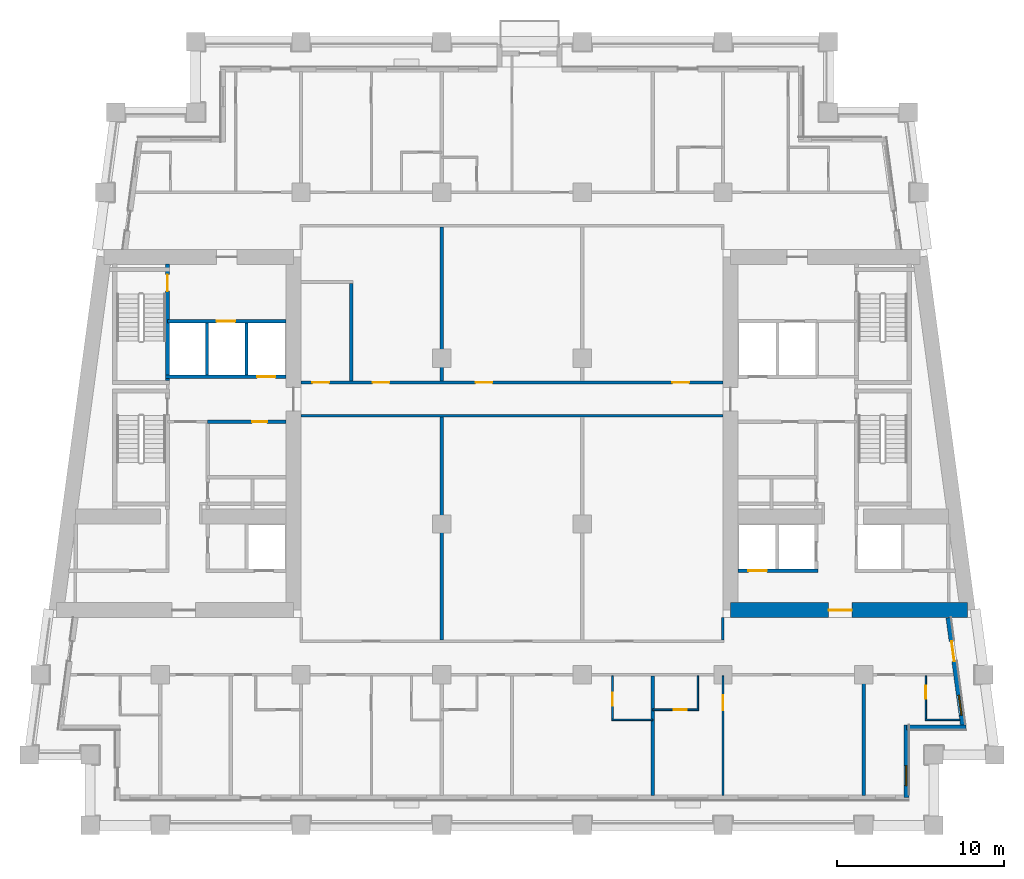
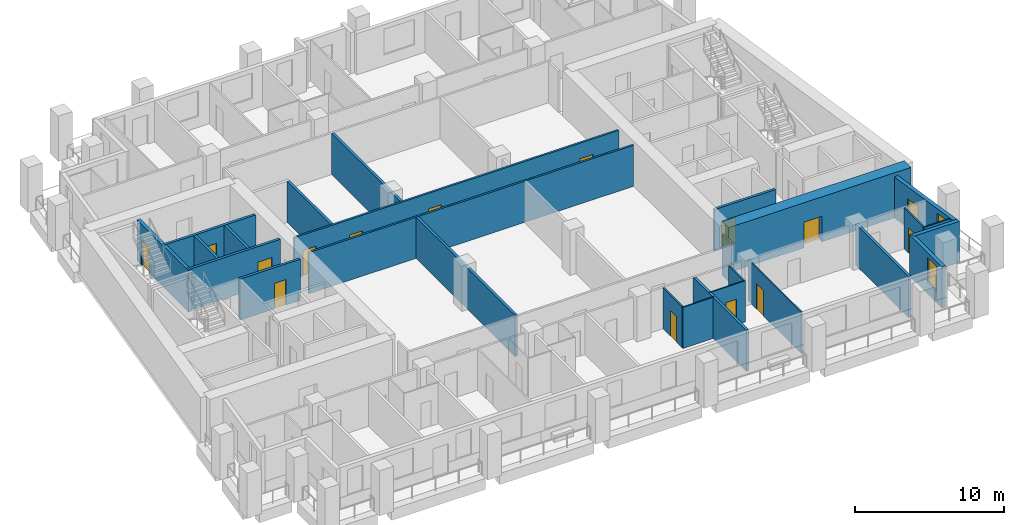
# One storey, part 4 of 12: 26 walls, 15 doors, 2 windows, 17 openings.
"""IFC4 building model written with IfcOpenShell, lengths in metres."""

from ifc_helpers import new_model, si_unit, direction, frame, frame_2d, origin, place, context, subcontext, project, spatial, rectangle, extrude, material, layer, layer_set, type_object, element, fill, save


model = new_model("IFC4")

# Units and contexts
model_context = context("Model", 3, precision=1e-05, world=origin(), true_north=direction((0.0, 1.0)))
body_context = subcontext(model_context, "Body", "Model", "MODEL_VIEW")
ifc_project = project(units=[si_unit("LENGTHUNIT", "METRE"), si_unit("AREAUNIT", "SQUARE_METRE"), si_unit("VOLUMEUNIT", "CUBIC_METRE"), si_unit("PLANEANGLEUNIT", "RADIAN"), si_unit("MASSUNIT", "GRAM", prefix="KILO")], contexts=[model_context])

# Site, building, storey
site_placement = place(None, origin())
site = spatial("IfcSite", under=ifc_project, at=site_placement, CompositionType="ELEMENT")
building_placement = place(site_placement, origin())
building = spatial("IfcBuilding", under=site, at=building_placement, Name="Candeia Pilgrim Tower and Theatre", CompositionType="ELEMENT")
storey_placement = place(building_placement, frame((0.0, 0.0, 166.300048828125)))
storey = spatial("IfcBuildingStorey", under=building, at=storey_placement, Name="L39", CompositionType="ELEMENT", Elevation=166.300048828125)

# Wall, opening, door
ifc_material_1 = material(Name="Concrete C60/75", Category="concrete")
ifc_layer_1 = layer(ifc_material_1, 0.89990234375)
ifc_layer_set_1 = layer_set([ifc_layer_1], Name="Core wall 900 C60/75")
wall_type_1 = type_object("IfcWallType", Name="Core wall 900 C60/75", PredefinedType="SHEAR", material=ifc_layer_set_1)
wall_1_placement = place(storey_placement, frame((140.6162109375, 110.85009765625, 0.0), z_axis=(0.0, 0.0, 1.0), x_axis=(-1.0, 0.0, 0.0)))
wall_1 = element("IfcWall", 1, at=wall_1_placement, inside=storey, type_object=wall_type_1, Name="Core wall E3", PredefinedType="SHEAR", context=body_context, shape_type="SweptSolid", body=[
    extrude(rectangle(XDim=14.166259765625, YDim=0.89990234375, at=frame_2d((7.0830078125, 0.0))), origin(), (0.0, 0.0, 1.0), 3.699951171875),
])
opening_1_placement = place(wall_1_placement, frame((6.911376953125, 0.0, 0.0)))
opening_1 = element("IfcOpeningElement", 2, at=opening_1_placement, cuts=wall_1, Name="Opening L39-D055", PredefinedType="OPENING", context=body_context, shape_type="SweptSolid", body=[
    extrude(rectangle(XDim=1.39990234375, YDim=2.10009765625, at=frame_2d((0.699951171875, 1.050048828125))), frame((0.0, 0.4599609375, 0.0), z_axis=(0.0, -1.0, 0.0), x_axis=(1.0, 0.0, 0.0)), (0.0, 0.0, 1.0), 0.919921875),
])
ifc_material_2 = material(Name="Steel fire door set", Category="steel")
door_type_1 = type_object("IfcDoorType", Name="D-1400-FD60", OperationType="NOTDEFINED", PredefinedType="DOOR", material=ifc_material_2)
door_1_placement = place(opening_1_placement, origin())
door_1 = element("IfcDoor", 3, at=door_1_placement, inside=storey, type_object=door_type_1, Name="Door L39-D055", OperationType="SINGLE_SWING_RIGHT", OverallHeight=2.10009765625, OverallWidth=1.39990234375, PredefinedType="DOOR", context=body_context, shape_type="SweptSolid", body=[
    extrude(rectangle(XDim=1.39990234375, YDim=2.10009765625, at=frame_2d((0.699951171875, 1.050048828125))), frame((0.0, 0.02490234375, 0.0), z_axis=(0.0, -1.0, 0.0), x_axis=(1.0, 0.0, 0.0)), (0.0, 0.0, 1.0), 0.050048828125),
])
fill(opening_1, door_1)

# Wall, opening, window
ifc_material_3 = material(Name="Ceramic block masonry", Category="masonry")
ifc_layer_2 = layer(ifc_material_3, 0.300048828125)
ifc_layer_set_2 = layer_set([ifc_layer_2], Name="EW1 glazing-line wall 300")
wall_type_2 = type_object("IfcWallType", Name="EW1 glazing-line wall 300", PredefinedType="SOLIDWALL", material=ifc_layer_set_2)
wall_2_placement = place(storey_placement, frame((136.949951171875, 99.64990234375, 0.0), z_axis=(0.0, 0.0, 1.0), x_axis=(0.0, 1.0, 0.0)))
wall_2 = element("IfcWall", 4, at=wall_2_placement, inside=storey, type_object=wall_type_2, Name="External wall L39-1.0", PredefinedType="SOLIDWALL", context=body_context, shape_type="SweptSolid", body=[
    extrude(rectangle(XDim=4.35009765625, YDim=0.300048828125, at=frame_2d((2.175048828125, 0.0))), origin(), (0.0, 0.0, 1.0), 3.3798828125),
])
opening_2_placement = place(wall_2_placement, frame((0.72509765625, 0.0, 0.89990234375)))
opening_2 = element("IfcOpeningElement", 5, at=opening_2_placement, cuts=wall_2, Name="Opening W-B", PredefinedType="OPENING", context=body_context, shape_type="SweptSolid", body=[
    extrude(rectangle(XDim=1.199951171875, YDim=2.10009765625, at=frame_2d((0.60009765625, 1.050048828125))), frame((0.0, 0.16015625, 0.0), z_axis=(0.0, -1.0, 0.0), x_axis=(1.0, 0.0, 0.0)), (0.0, 0.0, 1.0), 0.320068359375),
])
ifc_material_4 = material(Name="Aluminium framed double glazing", Category="aluminium")
window_type = type_object("IfcWindowType", Name="W-B window 1200x2100", PartitioningType="SINGLE_PANEL", PredefinedType="WINDOW", material=ifc_material_4)
window_1_placement = place(opening_2_placement, origin())
window_1 = element("IfcWindow", 6, at=window_1_placement, inside=storey, type_object=window_type, Name="Window W-B L39", OverallHeight=2.10009765625, OverallWidth=1.199951171875, PartitioningType="SINGLE_PANEL", PredefinedType="WINDOW", context=body_context, shape_type="SweptSolid", body=[
    extrude(rectangle(XDim=1.199951171875, YDim=2.10009765625, at=frame_2d((0.60009765625, 1.050048828125))), frame((0.0, 0.030029296875, 0.0), z_axis=(0.0, -1.0, 0.0), x_axis=(1.0, 0.0, 0.0)), (0.0, 0.0, 1.0), 0.06005859375),
])
fill(opening_2, window_1)

# Wall
wall_3_placement = place(storey_placement, frame((136.949951171875, 103.85009765625, 0.0), z_axis=(0.0, 0.0, 1.0), x_axis=(1.0, 0.0, 0.0)))
element("IfcWall", 7, at=wall_3_placement, inside=storey, type_object=wall_type_2, Name="External wall L39-2.0", PredefinedType="SOLIDWALL", context=body_context, shape_type="SweptSolid", body=[
    extrude(rectangle(XDim=3.569091796875, YDim=0.300048828125, at=frame_2d((1.78466796875, 0.0))), origin(), (0.0, 0.0, 1.0), 3.3798828125),
])

# Wall, openings, door, window
wall_4_placement = place(storey_placement, frame((140.34765625, 103.85009765625, 0.0), z_axis=(0.0, 0.0, 1.0), x_axis=(-0.133431549479, 0.991058031401, 0.0)))
wall_4 = element("IfcWall", 8, at=wall_4_placement, inside=storey, type_object=wall_type_2, Name="External wall L39-3.0", PredefinedType="SOLIDWALL", context=body_context, shape_type="SweptSolid", body=[
    extrude(rectangle(XDim=6.60888671875, YDim=0.300048828125, at=frame_2d((3.304443359375, 0.0))), origin(), (0.0, 0.0, 1.0), 3.3798828125),
])
opening_3_placement = place(wall_4_placement, frame((0.736572265625, 0.0, 0.89990234375)))
opening_3 = element("IfcOpeningElement", 9, at=opening_3_placement, cuts=wall_4, Name="Opening W-B", PredefinedType="OPENING", context=body_context, shape_type="SweptSolid", body=[
    extrude(rectangle(XDim=1.199951171875, YDim=2.10009765625, at=frame_2d((0.60009765625, 1.050048828125))), frame((0.0, 0.16015625, 0.0), z_axis=(0.0, -1.0, 0.0), x_axis=(1.0, 0.0, 0.0)), (0.0, 0.0, 1.0), 0.320068359375),
])
opening_4_placement = place(wall_4_placement, frame((3.990966796875, 0.0, 0.0)))
opening_4 = element("IfcOpeningElement", 10, at=opening_4_placement, cuts=wall_4, Name="Opening L39-ED374", PredefinedType="OPENING", context=body_context, shape_type="SweptSolid", body=[
    extrude(rectangle(XDim=1.199951171875, YDim=2.39990234375, at=frame_2d((0.60009765625, 1.199951171875))), frame((0.0, 0.16015625, 0.0), z_axis=(0.0, -1.0, 0.0), x_axis=(1.0, 0.0, 0.0)), (0.0, 0.0, 1.0), 0.320068359375),
])
ifc_material_5 = material(Name="Aluminium framed glazed door", Category="aluminium")
door_type_2 = type_object("IfcDoorType", Name="Loggia door 1200x2400", OperationType="DOUBLE_DOOR_SINGLE_SWING", PredefinedType="DOOR", material=ifc_material_5)
door_2_placement = place(opening_4_placement, origin())
door_2 = element("IfcDoor", 11, at=door_2_placement, inside=storey, type_object=door_type_2, Name="Loggia door L39-ED374", OperationType="DOUBLE_DOOR_SINGLE_SWING", OverallHeight=2.39990234375, OverallWidth=1.199951171875, PredefinedType="DOOR", context=body_context, shape_type="SweptSolid", body=[
    extrude(rectangle(XDim=1.199951171875, YDim=2.39990234375, at=frame_2d((0.60009765625, 1.199951171875))), frame((0.0, 0.02490234375, 0.0), z_axis=(0.0, -1.0, 0.0), x_axis=(1.0, 0.0, 0.0)), (0.0, 0.0, 1.0), 0.050048828125),
])
fill(opening_4, door_2)
window_2_placement = place(opening_3_placement, origin())
window_2 = element("IfcWindow", 12, at=window_2_placement, inside=storey, type_object=window_type, Name="Window W-B L39", OverallHeight=2.10009765625, OverallWidth=1.199951171875, PartitioningType="SINGLE_PANEL", PredefinedType="WINDOW", context=body_context, shape_type="SweptSolid", body=[
    extrude(rectangle(XDim=1.199951171875, YDim=2.10009765625, at=frame_2d((0.60009765625, 1.050048828125))), frame((0.0, 0.030029296875, 0.0), z_axis=(0.0, -1.0, 0.0), x_axis=(1.0, 0.0, 0.0)), (0.0, 0.0, 1.0), 0.06005859375),
])
fill(opening_3, window_2)

# Walls
ifc_material_6 = material(Name="Gypsum board partition on steel studs", Category="steel")
ifc_layer_3 = layer(ifc_material_6, 0.10009765625)
ifc_layer_set_3 = layer_set([ifc_layer_3], Name="PW-100 room partition")
wall_type_3 = type_object("IfcWallType", Name="PW-100 room partition", PredefinedType="PARTITIONING", material=ifc_layer_set_3)
wall_5_placement = place(storey_placement, frame((119.35009765625, 104.300048828125, 0.0), z_axis=(0.0, 0.0, 1.0), x_axis=(1.0, 0.0, 0.0)))
element("IfcWall", 13, at=wall_5_placement, inside=storey, type_object=wall_type_3, Name="Room partition L39-002", PredefinedType="PARTITIONING", context=body_context, shape_type="SweptSolid", body=[
    extrude(rectangle(XDim=2.449951171875, YDim=0.10009765625, at=frame_2d((1.22509765625, 0.0))), origin(), (0.0, 0.0, 1.0), 3.3798828125),
])
wall_6_placement = place(storey_placement, frame((138.070068359375, 104.300048828125, 0.0), z_axis=(0.0, 0.0, 1.0), x_axis=(1.0, 0.0, 0.0)))
element("IfcWall", 14, at=wall_6_placement, inside=storey, type_object=wall_type_3, Name="Room partition L39-003", PredefinedType="PARTITIONING", context=body_context, shape_type="SweptSolid", body=[
    extrude(rectangle(XDim=2.07568359375, YDim=0.10009765625, at=frame_2d((1.037841796875, 0.0))), origin(), (0.0, 0.0, 1.0), 3.3798828125),
])

# Wall, opening, door
wall_7_placement = place(storey_placement, frame((121.800048828125, 104.89990234375, 0.0), z_axis=(0.0, 0.0, 1.0), x_axis=(1.0, 0.0, 0.0)))
wall_7 = element("IfcWall", 15, at=wall_7_placement, inside=storey, type_object=wall_type_3, Name="Room partition L39-007", PredefinedType="PARTITIONING", context=body_context, shape_type="SweptSolid", body=[
    extrude(rectangle(XDim=2.75, YDim=0.10009765625, at=frame_2d((1.375, 0.0))), origin(), (0.0, 0.0, 1.0), 3.3798828125),
])
opening_5_placement = place(wall_7_placement, frame((1.25, 0.0, 0.0)))
opening_5 = element("IfcOpeningElement", 16, at=opening_5_placement, cuts=wall_7, Name="Opening L39-D028", PredefinedType="OPENING", context=body_context, shape_type="SweptSolid", body=[
    extrude(rectangle(XDim=0.800048828125, YDim=2.10009765625, at=frame_2d((0.39990234375, 1.050048828125))), frame((0.0, 0.06005859375, 0.0), z_axis=(0.0, -1.0, 0.0), x_axis=(1.0, 0.0, 0.0)), (0.0, 0.0, 1.0), 0.1201171875),
])
ifc_material_7 = material(Name="Timber door leaf", Category="wood")
door_type_3 = type_object("IfcDoorType", Name="D-800", OperationType="NOTDEFINED", PredefinedType="DOOR", material=ifc_material_7)
door_3_placement = place(opening_5_placement, origin())
door_3 = element("IfcDoor", 17, at=door_3_placement, inside=storey, type_object=door_type_3, Name="Door L39-D028", OperationType="SINGLE_SWING_LEFT", OverallHeight=2.10009765625, OverallWidth=0.800048828125, PredefinedType="DOOR", context=body_context, shape_type="SweptSolid", body=[
    extrude(rectangle(XDim=0.800048828125, YDim=2.10009765625, at=frame_2d((0.39990234375, 1.050048828125))), frame((0.0, 0.02490234375, 0.0), z_axis=(0.0, -1.0, 0.0), x_axis=(1.0, 0.0, 0.0)), (0.0, 0.0, 1.0), 0.050048828125),
])
fill(opening_5, door_3)

wall_8_placement = place(storey_placement, frame((119.39990234375, 104.35009765625, 0.0), z_axis=(0.0, 0.0, 1.0), x_axis=(0.0, 1.0, 0.0)))
wall_8 = element("IfcWall", 18, at=wall_8_placement, inside=storey, type_object=wall_type_3, Name="Room partition L39-089", PredefinedType="PARTITIONING", context=body_context, shape_type="SweptSolid", body=[
    extrude(rectangle(XDim=2.574951171875, YDim=0.10009765625, at=frame_2d((1.28759765625, 0.0))), origin(), (0.0, 0.0, 1.0), 3.3798828125),
])
opening_6_placement = place(wall_8_placement, frame((0.780029296875, 0.0, 0.0)))
opening_6 = element("IfcOpeningElement", 19, at=opening_6_placement, cuts=wall_8, Name="Opening L39-D025", PredefinedType="OPENING", context=body_context, shape_type="SweptSolid", body=[
    extrude(rectangle(XDim=0.800048828125, YDim=2.10009765625, at=frame_2d((0.39990234375, 1.050048828125))), frame((0.0, 0.06005859375, 0.0), z_axis=(0.0, -1.0, 0.0), x_axis=(1.0, 0.0, 0.0)), (0.0, 0.0, 1.0), 0.1201171875),
])
door_4_placement = place(opening_6_placement, origin())
door_4 = element("IfcDoor", 20, at=door_4_placement, inside=storey, type_object=door_type_3, Name="Door L39-D025", OperationType="SINGLE_SWING_RIGHT", OverallHeight=2.10009765625, OverallWidth=0.800048828125, PredefinedType="DOOR", context=body_context, shape_type="SweptSolid", body=[
    extrude(rectangle(XDim=0.800048828125, YDim=2.10009765625, at=frame_2d((0.39990234375, 1.050048828125))), frame((0.0, 0.02490234375, 0.0), z_axis=(0.0, -1.0, 0.0), x_axis=(1.0, 0.0, 0.0)), (0.0, 0.0, 1.0), 0.050048828125),
])
fill(opening_6, door_4)

# Wall
wall_9_placement = place(storey_placement, frame((124.5, 104.949951171875, 0.0), z_axis=(0.0, 0.0, 1.0), x_axis=(0.0, 1.0, 0.0)))
element("IfcWall", 21, at=wall_9_placement, inside=storey, type_object=wall_type_3, Name="Room partition L39-093", PredefinedType="PARTITIONING", context=body_context, shape_type="SweptSolid", body=[
    extrude(rectangle(XDim=1.97509765625, YDim=0.10009765625, at=frame_2d((0.987548828125, 0.0))), origin(), (0.0, 0.0, 1.0), 3.3798828125),
])

# Wall, opening, door
wall_10_placement = place(storey_placement, frame((126.0, 99.7900390625, 0.0), z_axis=(0.0, 0.0, 1.0), x_axis=(0.0, 1.0, 0.0)))
wall_10 = element("IfcWall", 22, at=wall_10_placement, inside=storey, type_object=wall_type_3, Name="Room partition L39-094", PredefinedType="PARTITIONING", context=body_context, shape_type="SweptSolid", body=[
    extrude(rectangle(XDim=7.135009765625, YDim=0.10009765625, at=frame_2d((3.5673828125, 0.0))), origin(), (0.0, 0.0, 1.0), 3.3798828125),
])
opening_7_placement = place(wall_10_placement, frame((5.074951171875, 0.0, 0.0)))
opening_7 = element("IfcOpeningElement", 23, at=opening_7_placement, cuts=wall_10, Name="Opening L39-D027", PredefinedType="OPENING", context=body_context, shape_type="SweptSolid", body=[
    extrude(rectangle(XDim=0.89990234375, YDim=2.10009765625, at=frame_2d((0.449951171875, 1.050048828125))), frame((0.0, 0.06005859375, 0.0), z_axis=(0.0, -1.0, 0.0), x_axis=(1.0, 0.0, 0.0)), (0.0, 0.0, 1.0), 0.1201171875),
])
door_type_4 = type_object("IfcDoorType", Name="D-900", OperationType="NOTDEFINED", PredefinedType="DOOR", material=ifc_material_7)
door_5_placement = place(opening_7_placement, origin())
door_5 = element("IfcDoor", 24, at=door_5_placement, inside=storey, type_object=door_type_4, Name="Door L39-D027", OperationType="SINGLE_SWING_RIGHT", OverallHeight=2.10009765625, OverallWidth=0.89990234375, PredefinedType="DOOR", context=body_context, shape_type="SweptSolid", body=[
    extrude(rectangle(XDim=0.89990234375, YDim=2.10009765625, at=frame_2d((0.449951171875, 1.050048828125))), frame((0.0, 0.02490234375, 0.0), z_axis=(0.0, -1.0, 0.0), x_axis=(1.0, 0.0, 0.0)), (0.0, 0.0, 1.0), 0.050048828125),
])
fill(opening_7, door_5)

wall_11_placement = place(storey_placement, frame((138.1201171875, 104.35009765625, 0.0), z_axis=(0.0, 0.0, 1.0), x_axis=(0.0, 1.0, 0.0)))
wall_11 = element("IfcWall", 25, at=wall_11_placement, inside=storey, type_object=wall_type_3, Name="Room partition L39-116", PredefinedType="PARTITIONING", context=body_context, shape_type="SweptSolid", body=[
    extrude(rectangle(XDim=2.574951171875, YDim=0.10009765625, at=frame_2d((1.28759765625, 0.0))), origin(), (0.0, 0.0, 1.0), 3.3798828125),
])
opening_8_placement = place(wall_11_placement, frame((1.199951171875, 0.0, 0.0)))
opening_8 = element("IfcOpeningElement", 26, at=opening_8_placement, cuts=wall_11, Name="Opening L39-D030", PredefinedType="OPENING", context=body_context, shape_type="SweptSolid", body=[
    extrude(rectangle(XDim=0.800048828125, YDim=2.10009765625, at=frame_2d((0.39990234375, 1.050048828125))), frame((0.0, 0.06005859375, 0.0), z_axis=(0.0, -1.0, 0.0), x_axis=(1.0, 0.0, 0.0)), (0.0, 0.0, 1.0), 0.1201171875),
])
door_6_placement = place(opening_8_placement, origin())
door_6 = element("IfcDoor", 27, at=door_6_placement, inside=storey, type_object=door_type_3, Name="Door L39-D030", OperationType="SINGLE_SWING_LEFT", OverallHeight=2.10009765625, OverallWidth=0.800048828125, PredefinedType="DOOR", context=body_context, shape_type="SweptSolid", body=[
    extrude(rectangle(XDim=0.800048828125, YDim=2.10009765625, at=frame_2d((0.39990234375, 1.050048828125))), frame((0.0, 0.02490234375, 0.0), z_axis=(0.0, -1.0, 0.0), x_axis=(1.0, 0.0, 0.0)), (0.0, 0.0, 1.0), 0.050048828125),
])
fill(opening_8, door_6)

# Wall
ifc_layer_4 = layer(ifc_material_6, 0.14990234375)
ifc_layer_set_4 = layer_set([ifc_layer_4], Name="PW-150 unit wall")
wall_type_4 = type_object("IfcWallType", Name="PW-150 unit wall", PredefinedType="PARTITIONING", material=ifc_layer_set_4)
wall_12_placement = place(storey_placement, frame((100.800048828125, 122.449951171875, 0.0), z_axis=(0.0, 0.0, 1.0), x_axis=(1.0, 0.0, 0.0)))
element("IfcWall", 28, at=wall_12_placement, inside=storey, type_object=wall_type_4, Name="Unit wall L39-026", PredefinedType="PARTITIONING", context=body_context, shape_type="SweptSolid", body=[
    extrude(rectangle(XDim=25.199951171875, YDim=0.14990234375, at=frame_2d((12.60009765625, 0.0))), origin(), (0.0, 0.0, 1.0), 3.3798828125),
])

# Wall, openings, doors
wall_13_placement = place(storey_placement, frame((100.800048828125, 124.449951171875, 0.0), z_axis=(0.0, 0.0, 1.0), x_axis=(1.0, 0.0, 0.0)))
wall_13 = element("IfcWall", 29, at=wall_13_placement, inside=storey, type_object=wall_type_4, Name="Unit wall L39-031", PredefinedType="PARTITIONING", context=body_context, shape_type="SweptSolid", body=[
    extrude(rectangle(XDim=25.199951171875, YDim=0.14990234375, at=frame_2d((12.60009765625, 0.0))), origin(), (0.0, 0.0, 1.0), 3.3798828125),
])
opening_9_placement = place(wall_13_placement, frame((4.27490234375, 0.0, 0.0)))
opening_9 = element("IfcOpeningElement", 30, at=opening_9_placement, cuts=wall_13, Name="Opening L39-D045", PredefinedType="OPENING", context=body_context, shape_type="SweptSolid", body=[
    extrude(rectangle(XDim=1.0, YDim=2.10009765625, at=frame_2d((0.5, 1.050048828125))), frame((0.0, 0.0849609375, 0.0), z_axis=(0.0, -1.0, 0.0), x_axis=(1.0, 0.0, 0.0)), (0.0, 0.0, 1.0), 0.169921875),
])
opening_10_placement = place(wall_13_placement, frame((0.675048828125, 0.0, 0.0)))
opening_10 = element("IfcOpeningElement", 31, at=opening_10_placement, cuts=wall_13, Name="Opening L39-D049", PredefinedType="OPENING", context=body_context, shape_type="SweptSolid", body=[
    extrude(rectangle(XDim=1.0, YDim=2.10009765625, at=frame_2d((0.5, 1.050048828125))), frame((0.0, 0.0849609375, 0.0), z_axis=(0.0, -1.0, 0.0), x_axis=(1.0, 0.0, 0.0)), (0.0, 0.0, 1.0), 0.169921875),
])
opening_11_placement = place(wall_13_placement, frame((10.425048828125, 0.0, 0.0)))
opening_11 = element("IfcOpeningElement", 32, at=opening_11_placement, cuts=wall_13, Name="Opening L39-D050", PredefinedType="OPENING", context=body_context, shape_type="SweptSolid", body=[
    extrude(rectangle(XDim=1.0, YDim=2.10009765625, at=frame_2d((0.5, 1.050048828125))), frame((0.0, 0.0849609375, 0.0), z_axis=(0.0, -1.0, 0.0), x_axis=(1.0, 0.0, 0.0)), (0.0, 0.0, 1.0), 0.169921875),
])
opening_12_placement = place(wall_13_placement, frame((22.175048828125, 0.0, 0.0)))
opening_12 = element("IfcOpeningElement", 33, at=opening_12_placement, cuts=wall_13, Name="Opening L39-D051", PredefinedType="OPENING", context=body_context, shape_type="SweptSolid", body=[
    extrude(rectangle(XDim=1.0, YDim=2.10009765625, at=frame_2d((0.5, 1.050048828125))), frame((0.0, 0.0849609375, 0.0), z_axis=(0.0, -1.0, 0.0), x_axis=(1.0, 0.0, 0.0)), (0.0, 0.0, 1.0), 0.169921875),
])
door_type_5 = type_object("IfcDoorType", Name="D-1000-FD30S", OperationType="NOTDEFINED", PredefinedType="DOOR", material=ifc_material_2)
door_7_placement = place(opening_9_placement, origin())
door_7 = element("IfcDoor", 34, at=door_7_placement, inside=storey, type_object=door_type_5, Name="Door L39-D045", OperationType="SINGLE_SWING_RIGHT", OverallHeight=2.10009765625, OverallWidth=1.0, PredefinedType="DOOR", context=body_context, shape_type="SweptSolid", body=[
    extrude(rectangle(XDim=1.0, YDim=2.10009765625, at=frame_2d((0.5, 1.050048828125))), frame((0.0, 0.02490234375, 0.0), z_axis=(0.0, -1.0, 0.0), x_axis=(1.0, 0.0, 0.0)), (0.0, 0.0, 1.0), 0.050048828125),
])
fill(opening_9, door_7)
door_8_placement = place(opening_10_placement, origin())
door_8 = element("IfcDoor", 35, at=door_8_placement, inside=storey, type_object=door_type_5, Name="Door L39-D049", OperationType="SINGLE_SWING_RIGHT", OverallHeight=2.10009765625, OverallWidth=1.0, PredefinedType="DOOR", context=body_context, shape_type="SweptSolid", body=[
    extrude(rectangle(XDim=1.0, YDim=2.10009765625, at=frame_2d((0.5, 1.050048828125))), frame((0.0, 0.02490234375, 0.0), z_axis=(0.0, -1.0, 0.0), x_axis=(1.0, 0.0, 0.0)), (0.0, 0.0, 1.0), 0.050048828125),
])
fill(opening_10, door_8)
door_9_placement = place(opening_11_placement, origin())
door_9 = element("IfcDoor", 36, at=door_9_placement, inside=storey, type_object=door_type_5, Name="Door L39-D050", OperationType="SINGLE_SWING_LEFT", OverallHeight=2.10009765625, OverallWidth=1.0, PredefinedType="DOOR", context=body_context, shape_type="SweptSolid", body=[
    extrude(rectangle(XDim=1.0, YDim=2.10009765625, at=frame_2d((0.5, 1.050048828125))), frame((0.0, 0.02490234375, 0.0), z_axis=(0.0, -1.0, 0.0), x_axis=(1.0, 0.0, 0.0)), (0.0, 0.0, 1.0), 0.050048828125),
])
fill(opening_11, door_9)
door_10_placement = place(opening_12_placement, origin())
door_10 = element("IfcDoor", 37, at=door_10_placement, inside=storey, type_object=door_type_5, Name="Door L39-D051", OperationType="SINGLE_SWING_RIGHT", OverallHeight=2.10009765625, OverallWidth=1.0, PredefinedType="DOOR", context=body_context, shape_type="SweptSolid", body=[
    extrude(rectangle(XDim=1.0, YDim=2.10009765625, at=frame_2d((0.5, 1.050048828125))), frame((0.0, 0.02490234375, 0.0), z_axis=(0.0, -1.0, 0.0), x_axis=(1.0, 0.0, 0.0)), (0.0, 0.0, 1.0), 0.050048828125),
])
fill(opening_12, door_10)

# Walls
wall_14_placement = place(storey_placement, frame((126.0, 109.074951171875, 0.0), z_axis=(0.0, 0.0, 1.0), x_axis=(0.0, 1.0, 0.0)))
element("IfcWall", 38, at=wall_14_placement, inside=storey, type_object=wall_type_4, Name="Unit wall L39-096", PredefinedType="PARTITIONING", context=body_context, shape_type="SweptSolid", body=[
    extrude(rectangle(XDim=1.324951171875, YDim=0.14990234375, at=frame_2d((0.66259765625, 0.0))), origin(), (0.0, 0.0, 1.0), 3.3798828125),
])
ifc_layer_5 = layer(ifc_material_6, 0.199951171875)
ifc_layer_set_5 = layer_set([ifc_layer_5], Name="PW-200 party wall")
wall_type_5 = type_object("IfcWallType", Name="PW-200 party wall", PredefinedType="PARTITIONING", material=ifc_layer_set_5)
wall_15_placement = place(storey_placement, frame((103.800048828125, 124.52490234375, 0.0), z_axis=(0.0, 0.0, 1.0), x_axis=(0.0, 1.0, 0.0)))
element("IfcWall", 39, at=wall_15_placement, inside=storey, type_object=wall_type_5, Name="Party wall L39-074", PredefinedType="PARTITIONING", context=body_context, shape_type="SweptSolid", body=[
    extrude(rectangle(XDim=5.8251953125, YDim=0.199951171875, at=frame_2d((2.91259765625, 0.0))), origin(), (0.0, 0.0, 1.0), 3.3798828125),
])
wall_16_placement = place(storey_placement, frame((109.199951171875, 109.074951171875, 0.0), z_axis=(0.0, 0.0, 1.0), x_axis=(0.0, 1.0, 0.0)))
element("IfcWall", 40, at=wall_16_placement, inside=storey, type_object=wall_type_5, Name="Party wall L39-080", PredefinedType="PARTITIONING", context=body_context, shape_type="SweptSolid", body=[
    extrude(rectangle(XDim=13.300048828125, YDim=0.199951171875, at=frame_2d((6.64990234375, 0.0))), origin(), (0.0, 0.0, 1.0), 3.3798828125),
])
wall_17_placement = place(storey_placement, frame((109.199951171875, 124.52490234375, 0.0), z_axis=(0.0, 0.0, 1.0), x_axis=(0.0, 1.0, 0.0)))
element("IfcWall", 41, at=wall_17_placement, inside=storey, type_object=wall_type_5, Name="Party wall L39-081", PredefinedType="PARTITIONING", context=body_context, shape_type="SweptSolid", body=[
    extrude(rectangle(XDim=9.2001953125, YDim=0.199951171875, at=frame_2d((4.60009765625, 0.0))), origin(), (0.0, 0.0, 1.0), 3.3798828125),
])
for number, where, z_axis, x_axis, name in (
    (42, (121.800048828125, 99.7900390625, 0.0), (0.0, 0.0, 1.0), (0.0, 1.0, 0.0), "Party wall L39-090"),
    (43, (134.39990234375, 99.7900390625, 0.0), (0.0, 0.0, 1.0), (0.0, 1.0, 0.0), "Party wall L39-112"),
):
    element("IfcWall", number, at=place(storey_placement, frame(where, z_axis=z_axis, x_axis=x_axis)), inside=storey, type_object=wall_type_5, Name=name, PredefinedType="PARTITIONING", context=body_context, shape_type="SweptSolid", body=[
        extrude(rectangle(XDim=7.135009765625, YDim=0.199951171875, at=frame_2d((3.5673828125, 0.0))), origin(), (0.0, 0.0, 1.0), 3.3798828125),
    ])

# Wall, opening, door
ifc_material_8 = material(Name="Concrete C40/50", Category="concrete")
ifc_layer_6 = layer(ifc_material_8, 0.199951171875)
ifc_layer_set_6 = layer_set([ifc_layer_6], Name="SW-200 shaft wall")
wall_type_6 = type_object("IfcWallType", Name="SW-200 shaft wall", PredefinedType="PARTITIONING", material=ifc_layer_set_6)
wall_18_placement = place(storey_placement, frame((126.89990234375, 113.199951171875, 0.0), z_axis=(0.0, 0.0, 1.0), x_axis=(1.0, 0.0, 0.0)))
wall_18 = element("IfcWall", 44, at=wall_18_placement, inside=storey, type_object=wall_type_6, Name="Shaft wall L39-012", PredefinedType="PARTITIONING", context=body_context, shape_type="SweptSolid", body=[
    extrude(rectangle(XDim=4.773193359375, YDim=0.199951171875, at=frame_2d((2.38671875, 0.0))), origin(), (0.0, 0.0, 1.0), 3.3798828125),
])
opening_13_placement = place(wall_18_placement, frame((0.617919921875, 0.0, 0.0)))
opening_13 = element("IfcOpeningElement", 45, at=opening_13_placement, cuts=wall_18, Name="Opening L39-LD08", PredefinedType="OPENING", context=body_context, shape_type="SweptSolid", body=[
    extrude(rectangle(XDim=1.10009765625, YDim=2.10009765625, at=frame_2d((0.550048828125, 1.050048828125))), frame((0.0, 0.10986328125, 0.0), z_axis=(0.0, -1.0, 0.0), x_axis=(1.0, 0.0, 0.0)), (0.0, 0.0, 1.0), 0.219970703125),
])
ifc_material_9 = material(Name="Glazed aluminium landing door", Category="aluminium")
door_type_6 = type_object("IfcDoorType", Name="LD-1100-EI120", OperationType="SLIDING_TO_LEFT", PredefinedType="DOOR", material=ifc_material_9)
door_11_placement = place(opening_13_placement, origin())
door_11 = element("IfcDoor", 46, at=door_11_placement, inside=storey, type_object=door_type_6, Name="Landing door 08 L39", OperationType="SLIDING_TO_LEFT", OverallHeight=2.10009765625, OverallWidth=1.10009765625, PredefinedType="DOOR", context=body_context, shape_type="SweptSolid", body=[
    extrude(rectangle(XDim=1.10009765625, YDim=2.10009765625, at=frame_2d((0.550048828125, 1.050048828125))), frame((0.0, 0.02490234375, 0.0), z_axis=(0.0, -1.0, 0.0), x_axis=(1.0, 0.0, 0.0)), (0.0, 0.0, 1.0), 0.050048828125),
])
fill(opening_13, door_11)

wall_19_placement = place(storey_placement, frame((95.22705078125, 122.10009765625, 0.0), z_axis=(0.0, 0.0, 1.0), x_axis=(1.0, 0.0, 0.0)))
wall_19 = element("IfcWall", 47, at=wall_19_placement, inside=storey, type_object=wall_type_6, Name="Shaft wall L39-022", PredefinedType="PARTITIONING", context=body_context, shape_type="SweptSolid", body=[
    extrude(rectangle(XDim=4.6728515625, YDim=0.199951171875, at=frame_2d((2.33642578125, 0.0))), origin(), (0.0, 0.0, 1.0), 3.3798828125),
])
opening_14_placement = place(wall_19_placement, frame((2.655029296875, 0.0, 0.0)))
opening_14 = element("IfcOpeningElement", 48, at=opening_14_placement, cuts=wall_19, Name="Opening L39-D002", PredefinedType="OPENING", context=body_context, shape_type="SweptSolid", body=[
    extrude(rectangle(XDim=0.89990234375, YDim=2.10009765625, at=frame_2d((0.449951171875, 1.050048828125))), frame((0.0, 0.10986328125, 0.0), z_axis=(0.0, -1.0, 0.0), x_axis=(1.0, 0.0, 0.0)), (0.0, 0.0, 1.0), 0.219970703125),
])
door_type_7 = type_object("IfcDoorType", Name="D-900-FD60", OperationType="NOTDEFINED", PredefinedType="DOOR", material=ifc_material_2)
door_12_placement = place(opening_14_placement, origin())
door_12 = element("IfcDoor", 49, at=door_12_placement, inside=storey, type_object=door_type_7, Name="Door L39-D002", OperationType="SINGLE_SWING_LEFT", OverallHeight=2.10009765625, OverallWidth=0.89990234375, PredefinedType="DOOR", context=body_context, shape_type="SweptSolid", body=[
    extrude(rectangle(XDim=0.89990234375, YDim=2.10009765625, at=frame_2d((0.449951171875, 1.050048828125))), frame((0.0, 0.02490234375, 0.0), z_axis=(0.0, -1.0, 0.0), x_axis=(1.0, 0.0, 0.0)), (0.0, 0.0, 1.0), 0.050048828125),
])
fill(opening_14, door_12)

wall_20_placement = place(storey_placement, frame((92.701904296875, 124.800048828125, 0.0), z_axis=(0.0, 0.0, 1.0), x_axis=(1.0, 0.0, 0.0)))
wall_20 = element("IfcWall", 50, at=wall_20_placement, inside=storey, type_object=wall_type_6, Name="Shaft wall L39-032", PredefinedType="PARTITIONING", context=body_context, shape_type="SweptSolid", body=[
    extrude(rectangle(XDim=7.197998046875, YDim=0.199951171875, at=frame_2d((3.59912109375, 0.0))), origin(), (0.0, 0.0, 1.0), 3.3798828125),
])
opening_15_placement = place(wall_20_placement, frame((5.468994140625, 0.0, 0.0)))
opening_15 = element("IfcOpeningElement", 51, at=opening_15_placement, cuts=wall_20, Name="Opening L39-LD02", PredefinedType="OPENING", context=body_context, shape_type="SweptSolid", body=[
    extrude(rectangle(XDim=1.10009765625, YDim=2.10009765625, at=frame_2d((0.550048828125, 1.050048828125))), frame((0.0, 0.10986328125, 0.0), z_axis=(0.0, -1.0, 0.0), x_axis=(1.0, 0.0, 0.0)), (0.0, 0.0, 1.0), 0.219970703125),
])
door_13_placement = place(opening_15_placement, origin())
door_13 = element("IfcDoor", 52, at=door_13_placement, inside=storey, type_object=door_type_6, Name="Landing door 02 L39", OperationType="SLIDING_TO_LEFT", OverallHeight=2.10009765625, OverallWidth=1.10009765625, PredefinedType="DOOR", context=body_context, shape_type="SweptSolid", body=[
    extrude(rectangle(XDim=1.10009765625, YDim=2.10009765625, at=frame_2d((0.550048828125, 1.050048828125))), frame((0.0, 0.02490234375, 0.0), z_axis=(0.0, -1.0, 0.0), x_axis=(1.0, 0.0, 0.0)), (0.0, 0.0, 1.0), 0.050048828125),
])
fill(opening_15, door_13)

wall_21_placement = place(storey_placement, frame((92.826904296875, 128.10009765625, 0.0), z_axis=(0.0, 0.0, 1.0), x_axis=(1.0, 0.0, 0.0)))
wall_21 = element("IfcWall", 53, at=wall_21_placement, inside=storey, type_object=wall_type_6, Name="Shaft wall L39-035", PredefinedType="PARTITIONING", context=body_context, shape_type="SweptSolid", body=[
    extrude(rectangle(XDim=7.072998046875, YDim=0.199951171875, at=frame_2d((3.53662109375, 0.0))), origin(), (0.0, 0.0, 1.0), 3.3798828125),
])
opening_16_placement = place(wall_21_placement, frame((2.930908203125, 0.0, 0.0)))
opening_16 = element("IfcOpeningElement", 54, at=opening_16_placement, cuts=wall_21, Name="Opening L39-LD01", PredefinedType="OPENING", context=body_context, shape_type="SweptSolid", body=[
    extrude(rectangle(XDim=1.10009765625, YDim=2.10009765625, at=frame_2d((0.550048828125, 1.050048828125))), frame((0.0, 0.10986328125, 0.0), z_axis=(0.0, -1.0, 0.0), x_axis=(1.0, 0.0, 0.0)), (0.0, 0.0, 1.0), 0.219970703125),
])
door_14_placement = place(opening_16_placement, origin())
door_14 = element("IfcDoor", 55, at=door_14_placement, inside=storey, type_object=door_type_6, Name="Landing door 01 L39", OperationType="SLIDING_TO_LEFT", OverallHeight=2.10009765625, OverallWidth=1.10009765625, PredefinedType="DOOR", context=body_context, shape_type="SweptSolid", body=[
    extrude(rectangle(XDim=1.10009765625, YDim=2.10009765625, at=frame_2d((0.550048828125, 1.050048828125))), frame((0.0, 0.02490234375, 0.0), z_axis=(0.0, -1.0, 0.0), x_axis=(1.0, 0.0, 0.0)), (0.0, 0.0, 1.0), 0.050048828125),
])
fill(opening_16, door_14)

# Walls
for number, where, z_axis, x_axis, name in (
    (56, (95.184814453125, 124.89990234375, 0.0), (0.0, 0.0, 1.0), (0.0, 1.0, 0.0), "Shaft wall L39-061"),
    (57, (97.542236328125, 124.89990234375, 0.0), (0.0, 0.0, 1.0), (0.0, 1.0, 0.0), "Shaft wall L39-066"),
):
    element("IfcWall", number, at=place(storey_placement, frame(where, z_axis=z_axis, x_axis=x_axis)), inside=storey, type_object=wall_type_6, Name=name, PredefinedType="PARTITIONING", context=body_context, shape_type="SweptSolid", body=[
        extrude(rectangle(XDim=3.10009765625, YDim=0.199951171875, at=frame_2d((1.550048828125, 0.0))), origin(), (0.0, 0.0, 1.0), 3.3798828125),
    ])

# Wall, opening, door
ifc_layer_7 = layer(ifc_material_8, 0.25)
ifc_layer_set_7 = layer_set([ifc_layer_7], Name="SW-250 stair wall")
wall_type_7 = type_object("IfcWallType", Name="SW-250 stair wall", PredefinedType="PARTITIONING", material=ifc_layer_set_7)
wall_22_placement = place(storey_placement, frame((92.826904296875, 124.574951171875, 0.0), z_axis=(0.0, 0.0, 1.0), x_axis=(0.0, 1.0, 0.0)))
wall_22 = element("IfcWall", 58, at=wall_22_placement, inside=storey, type_object=wall_type_7, Name="Stair wall L39-058", PredefinedType="PARTITIONING", context=body_context, shape_type="SweptSolid", body=[
    extrude(rectangle(XDim=6.955078125, YDim=0.25, at=frame_2d((3.4775390625, 0.0))), origin(), (0.0, 0.0, 1.0), 3.3798828125),
])
opening_17_placement = place(wall_22_placement, frame((5.324951171875, 0.0, 0.0)))
opening_17 = element("IfcOpeningElement", 59, at=opening_17_placement, cuts=wall_22, Name="Opening L39-D004", PredefinedType="OPENING", context=body_context, shape_type="SweptSolid", body=[
    extrude(rectangle(XDim=1.0, YDim=2.10009765625, at=frame_2d((0.5, 1.050048828125))), frame((0.0, 0.135009765625, 0.0), z_axis=(0.0, -1.0, 0.0), x_axis=(1.0, 0.0, 0.0)), (0.0, 0.0, 1.0), 0.27001953125),
])
door_type_8 = type_object("IfcDoorType", Name="D-1000-FD60", OperationType="NOTDEFINED", PredefinedType="DOOR", material=ifc_material_2)
door_15_placement = place(opening_17_placement, origin())
door_15 = element("IfcDoor", 60, at=door_15_placement, inside=storey, type_object=door_type_8, Name="Door L39-D004", OperationType="SINGLE_SWING_LEFT", OverallHeight=2.10009765625, OverallWidth=1.0, PredefinedType="DOOR", context=body_context, shape_type="SweptSolid", body=[
    extrude(rectangle(XDim=1.0, YDim=2.10009765625, at=frame_2d((0.5, 1.050048828125))), frame((0.0, 0.02490234375, 0.0), z_axis=(0.0, -1.0, 0.0), x_axis=(1.0, 0.0, 0.0)), (0.0, 0.0, 1.0), 0.050048828125),
])
fill(opening_17, door_15)

save(model, "model.ifc")
